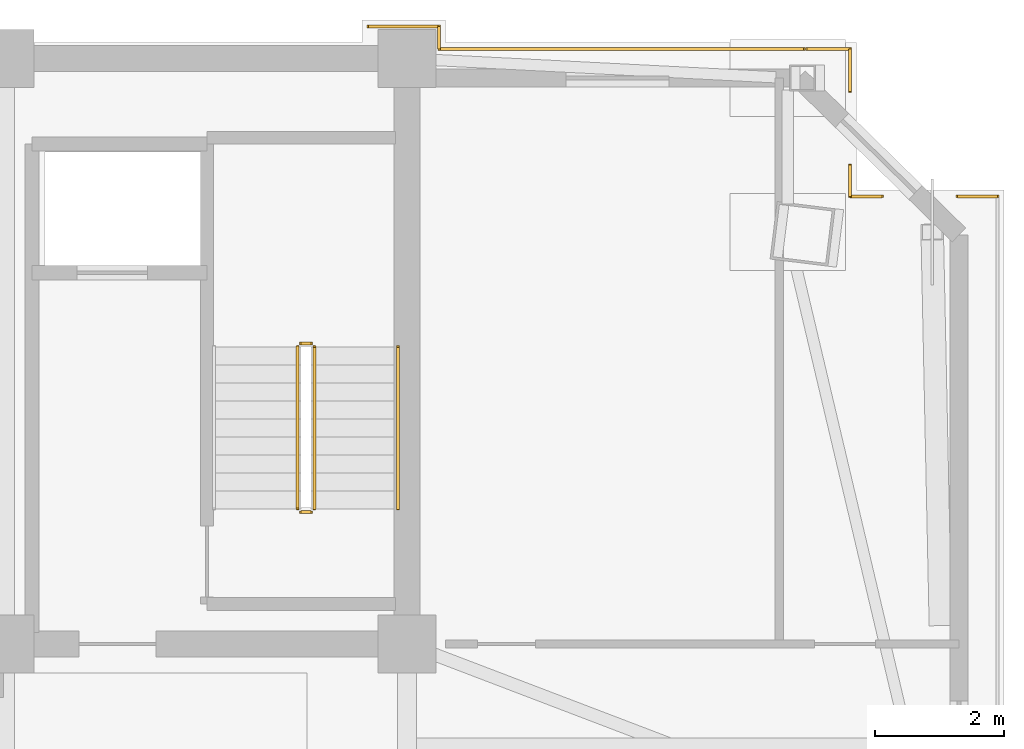
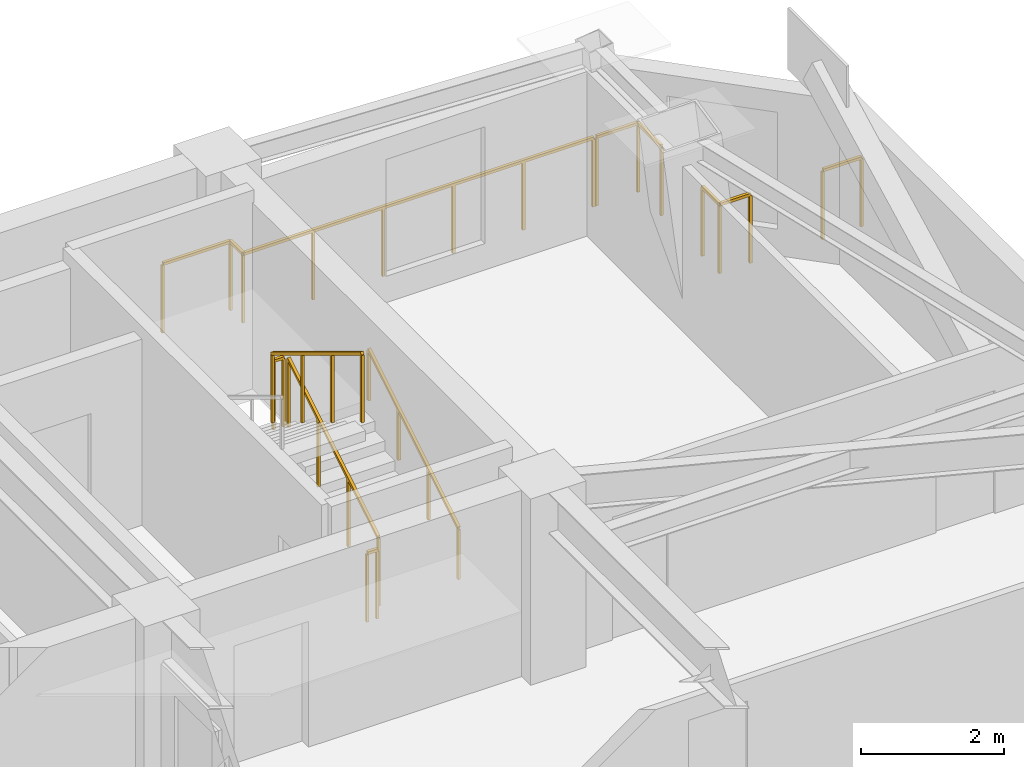
# One storey, part 13 of 13: 13 railings.
"""IFC4 building model written with IfcOpenShell, lengths in metres."""

import ifcopenshell
import ifcopenshell.guid

model = None  # the IFC model being written
_history = None  # IfcOwnerHistory: only IFC2X3 demands one
_inside = {}  # id of a spatial element -> (the spatial element, [elements in it])
_under = {}  # id of a project, library or spatial element -> (it, [spatial elements below it])
_declared = {}  # id of a project -> (the project, [libraries it declares])
_typed = {}  # id of a type object -> (the type object, [elements of that type])
_made_of = {}  # id of a material, layer set ... -> (it, [elements and type objects made of it])


def new_model(schema):
    """Start an empty IFC model of exactly this schema.

    Asked for "IFC4X3", IfcOpenShell would pick the latest addendum, in which some entities
    have other attributes; the version numbers below select the first issue.
    IFC2X3 requires an IfcOwnerHistory on every rooted entity: one is made here for all.
    """
    global model, _history
    if schema == "IFC4X3":
        model = ifcopenshell.file(schema_version=(4, 3, 0, 0))
    else:
        model = ifcopenshell.file(schema=schema)
    _inside.clear()
    _under.clear()
    _declared.clear()
    _typed.clear()
    _made_of.clear()
    _history = None
    if model.schema == "IFC2X3":
        org = make("IfcOrganization", Name="unknown")
        user = make(
            "IfcPersonAndOrganization",
            ThePerson=make("IfcPerson", FamilyName="unknown"),
            TheOrganization=org,
        )
        app = make(
            "IfcApplication",
            ApplicationDeveloper=org,
            Version="unknown",
            ApplicationFullName="unknown",
            ApplicationIdentifier="unknown",
        )
        _history = make(
            "IfcOwnerHistory",
            OwningUser=user,
            OwningApplication=app,
            ChangeAction="ADDED",
            CreationDate=0,
        )
    return model


def make(cls, **values):
    """One entity of the class cls with the attributes given. An attribute that is None is left unset."""
    return model.create_entity(
        cls, **{name: value for name, value in values.items() if value is not None}
    )


def rooted(cls, **values):
    """An entity with a GlobalId (a new one), such as an element, a storey or a relation."""
    return make(cls, GlobalId=ifcopenshell.guid.new(), OwnerHistory=_history, **values)


def si_unit(unit_type, name, prefix=None):
    """IfcSIUnit, for example si_unit("LENGTHUNIT", "METRE", prefix="MILLI")."""
    return make("IfcSIUnit", UnitType=unit_type, Prefix=prefix, Name=name)


def assignment(units):
    """IfcUnitAssignment: the units of a project."""
    return None if units is None else make("IfcUnitAssignment", Units=units)


def point(xyz):
    """IfcCartesianPoint."""
    return None if xyz is None else make("IfcCartesianPoint", Coordinates=xyz)


def direction(xyz):
    """IfcDirection."""
    return None if xyz is None else make("IfcDirection", DirectionRatios=xyz)


def frame(location, z_axis=None, x_axis=None):
    """IfcAxis2Placement3D, a coordinate frame: its origin and axes. An axis left out is left unset."""
    return make(
        "IfcAxis2Placement3D",
        Location=point(location),
        Axis=direction(z_axis),
        RefDirection=direction(x_axis),
    )


def frame_2d(location, x_axis=None):
    """IfcAxis2Placement2D, a coordinate frame in the plane: its origin and x axis."""
    return make(
        "IfcAxis2Placement2D", Location=point(location), RefDirection=direction(x_axis)
    )


def origin():
    """The frame at (0, 0, 0) with its axes left unset."""
    return frame((0.0, 0.0, 0.0))


def origin_2d():
    """The frame at (0, 0) in the plane with its x axis left unset."""
    return frame_2d((0.0, 0.0))


def place(relative_to, where):
    """IfcLocalPlacement: puts the frame where relative to a parent placement (None: the world)."""
    return make(
        "IfcLocalPlacement", PlacementRelTo=relative_to, RelativePlacement=where
    )


def context(
    kind, dimensions, precision=None, world=None, true_north=None, identifier=None
):
    """IfcGeometricRepresentationContext, for example the 3D "Model" context."""
    return make(
        "IfcGeometricRepresentationContext",
        ContextIdentifier=identifier,
        ContextType=kind,
        CoordinateSpaceDimension=dimensions,
        Precision=precision,
        WorldCoordinateSystem=world,
        TrueNorth=true_north,
    )


def subcontext(parent, identifier, kind, view, scale=None):
    """IfcGeometricRepresentationSubContext, for example "Body" below "Model"."""
    return make(
        "IfcGeometricRepresentationSubContext",
        ContextIdentifier=identifier,
        ContextType=kind,
        ParentContext=parent,
        TargetScale=scale,
        TargetView=view,
    )


def project(units=None, contexts=None):
    """IfcProject with its units and contexts."""
    return rooted(
        "IfcProject",
        Name="project",
        RepresentationContexts=contexts,
        UnitsInContext=assignment(units),
    )


def spatial(cls, under=None, at=None, **own):
    """A site, building, storey or space (cls), placed at a placement, below another one or the project."""
    s = rooted(cls, ObjectPlacement=at, **own)
    if under is not None:
        _under.setdefault(under.id(), (under, []))[1].append(s)
    return s


def profile(cls, at=None, kind="AREA", **sizes):
    """A parametric profile (cls). Its sizes go by their IFC names, for example OverallWidth=200.0."""
    return make(cls, ProfileType=kind, Position=at, **sizes)


def rectangle(**sizes):
    """IfcRectangleProfileDef."""
    return profile("IfcRectangleProfileDef", **sizes)


def extrude(swept, where, along, depth):
    """IfcExtrudedAreaSolid: the profile swept, set in the frame where, extruded along a direction by depth."""
    return make(
        "IfcExtrudedAreaSolid",
        SweptArea=swept,
        Position=where,
        ExtrudedDirection=direction(along),
        Depth=depth,
    )


def shape(context_of_items, identifier, shape_type, items):
    """IfcShapeRepresentation: the items that make up one representation, for example the "Body"."""
    return make(
        "IfcShapeRepresentation",
        ContextOfItems=context_of_items,
        RepresentationIdentifier=identifier,
        RepresentationType=shape_type,
        Items=items,
    )


def material(Name=None, Category=None):
    """IfcMaterial."""
    return make("IfcMaterial", Name=Name, Category=Category)


def made_of(thing, what):
    """Note that an element or type object is made of a material, layer set ...; save() writes the relation."""
    if what is not None:
        _made_of.setdefault(what.id(), (what, []))[1].append(thing)
    return thing


def type_object(cls, material=None, **own):
    """A type object (cls), such as IfcWallType, which elements share."""
    return made_of(rooted(cls, **own), material)


def element(
    cls,
    number,
    at=None,
    inside=None,
    cuts=None,
    type_object=None,
    material=None,
    context=None,
    identifier="Body",
    shape_type=None,
    held_by="IfcProductDefinitionShape",
    body=None,
    shapes=None,
    **own,
):
    """One element of the class cls, such as IfcWall. Its Tag is "e" and its number.

    at: its placement. inside: the storey or other place that contains it. cuts: it is an
    opening in that element (IfcRelVoidsElement). A single representation is given by context,
    identifier, shape_type and body (its items); several are given by shapes. held_by: the class
    of the entity that holds the representations. save() writes the other relations.
    """
    e = rooted(cls, Tag="e%d" % number, ObjectPlacement=at, **own)
    if body is not None:
        shapes = [shape(context, identifier, shape_type, body)]
    if shapes is not None:
        e.Representation = make(held_by, Representations=shapes)
    if inside is not None:
        _inside.setdefault(inside.id(), (inside, []))[1].append(e)
    if cuts is not None:
        rooted(
            "IfcRelVoidsElement", RelatingBuildingElement=cuts, RelatedOpeningElement=e
        )
    if type_object is not None:
        _typed.setdefault(type_object.id(), (type_object, []))[1].append(e)
    return made_of(e, material)


def aggregate(whole, parts):
    """IfcRelAggregates: a whole, such as a stair, and the parts it consists of."""
    return rooted("IfcRelAggregates", RelatingObject=whole, RelatedObjects=parts)


def save(model, path):
    """Write the relations noted so far, then the file.

    IfcRelAggregates (storeys below a building ...), IfcRelContainedInSpatialStructure (elements
    in a storey), IfcRelDefinesByType, IfcRelAssociatesMaterial and IfcRelDeclares: one each for
    every whole, place, type object, material and project.
    """
    for whole, parts in _under.values():
        aggregate(whole, parts)
    for where, things in _inside.values():
        rooted(
            "IfcRelContainedInSpatialStructure",
            RelatedElements=things,
            RelatingStructure=where,
        )
    for kind, things in _typed.values():
        rooted("IfcRelDefinesByType", RelatedObjects=things, RelatingType=kind)
    for what, things in _made_of.values():
        rooted("IfcRelAssociatesMaterial", RelatedObjects=things, RelatingMaterial=what)
    for by, libraries in _declared.values():
        rooted("IfcRelDeclares", RelatingContext=by, RelatedDefinitions=libraries)
    model.write(path)


model = new_model("IFC4")

# Units and contexts
model_context = context("Model", 3, precision=1e-05, world=origin(), true_north=direction((0.0, 1.0)))
body_context = subcontext(model_context, "Body", "Model", "MODEL_VIEW")
ifc_project = project(units=[si_unit("LENGTHUNIT", "METRE"), si_unit("AREAUNIT", "SQUARE_METRE"), si_unit("VOLUMEUNIT", "CUBIC_METRE"), si_unit("PLANEANGLEUNIT", "RADIAN"), si_unit("MASSUNIT", "GRAM", prefix="KILO")], contexts=[model_context])

# Site, building, storey
site_placement = place(None, origin())
site = spatial("IfcSite", under=ifc_project, at=site_placement, CompositionType="ELEMENT")
building_placement = place(site_placement, origin())
building = spatial("IfcBuilding", under=site, at=building_placement, Name="Giltprow Tower", CompositionType="ELEMENT")
storey_placement = place(building_placement, frame((0.0, 0.0, 332.300048828125)))
storey = spatial("IfcBuildingStorey", under=building, at=storey_placement, Name="L86", CompositionType="ELEMENT", Elevation=332.300048828125)

# Railings
ifc_material = material(Name="Anodized bronze", Category="metal")
railing_type_1 = type_object("IfcRailingType", Name="RAIL-BALC-GUARD-1200", PredefinedType="BALUSTRADE", material=ifc_material)
railing_1_placement = place(storey_placement, frame((49.949951171875, 47.050048828125, 0.0)))
element("IfcRailing", 1, at=railing_1_placement, inside=storey, type_object=railing_type_1, Name="L86 Corner Apron Edge Balustrade 22", PredefinedType="BALUSTRADE", context=body_context, shape_type="SweptSolid", body=[
    extrude(rectangle(XDim=0.048095703125, YDim=0.048095703125, at=origin_2d()), frame((0.0, 0.0, 1.17578125), z_axis=(1.0, 0.0, 0.0), x_axis=(0.0, 1.0, 0.0)), (0.0, 0.0, 1.0), 1.10009765625),
    extrude(rectangle(XDim=0.0419921875, YDim=0.0419921875, at=origin_2d()), origin(), (0.0, 0.0, 1.0), 1.15185546875),
    extrude(rectangle(XDim=0.0419921875, YDim=0.0419921875, at=origin_2d()), frame((1.10009765625, 0.0, 0.0)), (0.0, 0.0, 1.0), 1.15185546875),
])
railing_2_placement = place(storey_placement, frame((51.050048828125, 47.050048828125, 0.0)))
element("IfcRailing", 2, at=railing_2_placement, inside=storey, type_object=railing_type_1, Name="L86 Corner Apron Edge Balustrade 23", PredefinedType="BALUSTRADE", context=body_context, shape_type="SweptSolid", body=[
    extrude(rectangle(XDim=0.048095703125, YDim=0.048095703125, at=origin_2d()), frame((0.0, 0.0, 1.17578125), z_axis=(0.0, -1.0, 0.0), x_axis=(1.0, 0.0, 0.0)), (0.0, 0.0, 1.0), 0.35009765625),
    extrude(rectangle(XDim=0.0419921875, YDim=0.0419921875, at=origin_2d()), origin(), (0.0, 0.0, 1.0), 1.15185546875),
    extrude(rectangle(XDim=0.0419921875, YDim=0.0419921875, at=origin_2d()), frame((0.0, -0.35009765625, 0.0)), (0.0, 0.0, 1.0), 1.15185546875),
])
railing_3_placement = place(storey_placement, frame((51.050048828125, 46.699951171875, 0.0)))
element("IfcRailing", 3, at=railing_3_placement, inside=storey, type_object=railing_type_1, Name="L86 Corner Apron Edge Balustrade 24", PredefinedType="BALUSTRADE", context=body_context, shape_type="SweptSolid", body=[
    extrude(rectangle(XDim=0.048095703125, YDim=0.048095703125, at=origin_2d()), frame((0.0, 0.0, 1.17578125), z_axis=(1.0, 0.0, 0.0), x_axis=(0.0, 1.0, 0.0)), (0.0, 0.0, 1.0), 5.666015625),
    extrude(rectangle(XDim=0.0419921875, YDim=0.0419921875, at=origin_2d()), origin(), (0.0, 0.0, 1.0), 1.15185546875),
    extrude(rectangle(XDim=0.0419921875, YDim=0.0419921875, at=origin_2d()), frame((1.13330078125, 0.0, 0.0)), (0.0, 0.0, 1.0), 1.15185546875),
    extrude(rectangle(XDim=0.0419921875, YDim=0.0419921875, at=origin_2d()), frame((2.266357421875, 0.0, 0.0)), (0.0, 0.0, 1.0), 1.15185546875),
    extrude(rectangle(XDim=0.0419921875, YDim=0.0419921875, at=origin_2d()), frame((3.399658203125, 0.0, 0.0)), (0.0, 0.0, 1.0), 1.15185546875),
    extrude(rectangle(XDim=0.0419921875, YDim=0.0419921875, at=origin_2d()), frame((4.53271484375, 0.0, 0.0)), (0.0, 0.0, 1.0), 1.15185546875),
    extrude(rectangle(XDim=0.0419921875, YDim=0.0419921875, at=origin_2d()), frame((5.666015625, 0.0, 0.0)), (0.0, 0.0, 1.0), 1.15185546875),
])
railing_4_placement = place(storey_placement, frame((56.76611328125, 46.699951171875, 0.0)))
element("IfcRailing", 4, at=railing_4_placement, inside=storey, type_object=railing_type_1, Name="L86 Corner Apron Edge Balustrade 25", PredefinedType="BALUSTRADE", context=body_context, shape_type="SweptSolid", body=[
    extrude(rectangle(XDim=0.048095703125, YDim=0.048095703125, at=origin_2d()), frame((0.0, 0.0, 1.17578125), z_axis=(1.0, 0.0, 0.0), x_axis=(0.0, 1.0, 0.0)), (0.0, 0.0, 1.0), 0.671875),
    extrude(rectangle(XDim=0.0419921875, YDim=0.0419921875, at=origin_2d()), origin(), (0.0, 0.0, 1.0), 1.15185546875),
    extrude(rectangle(XDim=0.0419921875, YDim=0.0419921875, at=origin_2d()), frame((0.671875, 0.0, 0.0)), (0.0, 0.0, 1.0), 1.15185546875),
])
railing_5_placement = place(storey_placement, frame((57.43798828125, 46.699951171875, 0.0)))
element("IfcRailing", 5, at=railing_5_placement, inside=storey, type_object=railing_type_1, Name="L86 Corner Apron Edge Balustrade 26", PredefinedType="BALUSTRADE", context=body_context, shape_type="SweptSolid", body=[
    extrude(rectangle(XDim=0.048095703125, YDim=0.048095703125, at=origin_2d()), frame((0.0, 0.0, 1.17578125), z_axis=(0.0, -1.0, 0.0), x_axis=(1.0, 0.0, 0.0)), (0.0, 0.0, 1.0), 0.658935546875),
    extrude(rectangle(XDim=0.0419921875, YDim=0.0419921875, at=origin_2d()), origin(), (0.0, 0.0, 1.0), 1.15185546875),
    extrude(rectangle(XDim=0.0419921875, YDim=0.0419921875, at=origin_2d()), frame((0.0, -0.658935546875, 0.0)), (0.0, 0.0, 1.0), 1.15185546875),
])
railing_6_placement = place(storey_placement, frame((57.43798828125, 44.89306640625, 0.0)))
element("IfcRailing", 6, at=railing_6_placement, inside=storey, type_object=railing_type_1, Name="L86 Corner Apron Edge Balustrade 27", PredefinedType="BALUSTRADE", context=body_context, shape_type="SweptSolid", body=[
    extrude(rectangle(XDim=0.048095703125, YDim=0.048095703125, at=origin_2d()), frame((0.0, 0.0, 1.17578125), z_axis=(0.0, -1.0, 0.0), x_axis=(1.0, 0.0, 0.0)), (0.0, 0.0, 1.0), 0.485107421875),
    extrude(rectangle(XDim=0.0419921875, YDim=0.0419921875, at=origin_2d()), origin(), (0.0, 0.0, 1.0), 1.15185546875),
    extrude(rectangle(XDim=0.0419921875, YDim=0.0419921875, at=origin_2d()), frame((0.0, -0.485107421875, 0.0)), (0.0, 0.0, 1.0), 1.15185546875),
])
railing_7_placement = place(storey_placement, frame((57.43798828125, 44.407958984375, 0.0)))
element("IfcRailing", 7, at=railing_7_placement, inside=storey, type_object=railing_type_1, Name="L86 Corner Apron Edge Balustrade 28", PredefinedType="BALUSTRADE", context=body_context, shape_type="SweptSolid", body=[
    extrude(rectangle(XDim=0.048095703125, YDim=0.048095703125, at=origin_2d()), frame((0.0, 0.0, 1.17578125), z_axis=(1.0, 0.0, 0.0), x_axis=(0.0, 1.0, 0.0)), (0.0, 0.0, 1.0), 0.4951171875),
    extrude(rectangle(XDim=0.0419921875, YDim=0.0419921875, at=origin_2d()), origin(), (0.0, 0.0, 1.0), 1.15185546875),
    extrude(rectangle(XDim=0.0419921875, YDim=0.0419921875, at=origin_2d()), frame((0.4951171875, 0.0, 0.0)), (0.0, 0.0, 1.0), 1.15185546875),
])
railing_8_placement = place(storey_placement, frame((59.10498046875, 44.407958984375, 0.0)))
element("IfcRailing", 8, at=railing_8_placement, inside=storey, type_object=railing_type_1, Name="L86 Corner Apron Edge Balustrade 29", PredefinedType="BALUSTRADE", context=body_context, shape_type="SweptSolid", body=[
    extrude(rectangle(XDim=0.048095703125, YDim=0.048095703125, at=origin_2d()), frame((0.0, 0.0, 1.17578125), z_axis=(1.0, 0.0, 0.0), x_axis=(0.0, 1.0, 0.0)), (0.0, 0.0, 1.0), 0.6259765625),
    extrude(rectangle(XDim=0.0419921875, YDim=0.0419921875, at=origin_2d()), origin(), (0.0, 0.0, 1.0), 1.15185546875),
    extrude(rectangle(XDim=0.0419921875, YDim=0.0419921875, at=origin_2d()), frame((0.6259765625, 0.0, 0.0)), (0.0, 0.0, 1.0), 1.15185546875),
])
railing_type_2 = type_object("IfcRailingType", Name="RAIL-STAIR-GUARD-1200", PredefinedType="GUARDRAIL", material=ifc_material)
railing_9_placement = place(storey_placement, frame((49.110107421875, 39.550048828125, 0.169921875)))
element("IfcRailing", 9, at=railing_9_placement, inside=storey, type_object=railing_type_2, Name="L86 ST-3 stair guard 1", PredefinedType="GUARDRAIL", context=body_context, shape_type="SweptSolid", body=[
    extrude(rectangle(XDim=0.048095703125, YDim=0.048095703125, at=origin_2d()), frame((0.0, 0.0, 1.17578125), z_axis=(0.0, 0.85478489116, 0.518982456201), x_axis=(-1.0, 0.0, 0.0)), (0.0, 0.0, 1.0), 2.9482421875),
    extrude(rectangle(XDim=0.0419921875, YDim=0.0419921875, at=origin_2d()), origin(), (0.0, 0.0, 1.0), 1.15185546875),
    extrude(rectangle(XDim=0.0419921875, YDim=0.0419921875, at=origin_2d()), frame((0.0, 0.840087890625, 0.510009765625)), (0.0, 0.0, 1.0), 1.15185546875),
    extrude(rectangle(XDim=0.0419921875, YDim=0.0419921875, at=origin_2d()), frame((0.0, 1.679931640625, 1.02001953125)), (0.0, 0.0, 1.0), 1.15185546875),
    extrude(rectangle(XDim=0.0419921875, YDim=0.0419921875, at=origin_2d()), frame((0.0, 2.52001953125, 1.530029296875)), (0.0, 0.0, 1.0), 1.15185546875),
])
railing_10_placement = place(storey_placement, frame((49.06005859375, 42.1201171875, 1.699951171875)))
element("IfcRailing", 10, at=railing_10_placement, inside=storey, type_object=railing_type_2, Name="L86 ST-3 stair guard 2", PredefinedType="GUARDRAIL", context=body_context, shape_type="SweptSolid", body=[
    extrude(rectangle(XDim=0.048095703125, YDim=0.048095703125, at=origin_2d()), frame((0.0, 0.0, 1.17578125), z_axis=(-1.0, 0.0, 0.0), x_axis=(0.0, -1.0, 0.0)), (0.0, 0.0, 1.0), 0.16015625),
    extrude(rectangle(XDim=0.0419921875, YDim=0.0419921875, at=origin_2d()), origin(), (0.0, 0.0, 1.0), 1.15185546875),
    extrude(rectangle(XDim=0.0419921875, YDim=0.0419921875, at=origin_2d()), frame((-0.16015625, 0.0, 0.0)), (0.0, 0.0, 1.0), 1.15185546875),
])
railing_11_placement = place(storey_placement, frame((48.85009765625, 42.070068359375, 1.869873046875)))
element("IfcRailing", 11, at=railing_11_placement, inside=storey, type_object=railing_type_2, Name="L86 ST-3 stair guard 3", PredefinedType="GUARDRAIL", context=body_context, shape_type="SweptSolid", body=[
    extrude(rectangle(XDim=0.048095703125, YDim=0.048095703125, at=origin_2d()), frame((0.0, 0.0, 1.17578125), z_axis=(0.0, -0.85478489116, 0.518982456201), x_axis=(1.0, 0.0, 0.0)), (0.0, 0.0, 1.0), 2.9482421875),
    extrude(rectangle(XDim=0.0419921875, YDim=0.0419921875, at=origin_2d()), origin(), (0.0, 0.0, 1.0), 1.15185546875),
    extrude(rectangle(XDim=0.0419921875, YDim=0.0419921875, at=origin_2d()), frame((0.0, -0.840087890625, 0.510009765625)), (0.0, 0.0, 1.0), 1.15185546875),
    extrude(rectangle(XDim=0.0419921875, YDim=0.0419921875, at=origin_2d()), frame((0.0, -1.679931640625, 1.02001953125)), (0.0, 0.0, 1.0), 1.15185546875),
    extrude(rectangle(XDim=0.0419921875, YDim=0.0419921875, at=origin_2d()), frame((0.0, -2.52001953125, 1.530029296875)), (0.0, 0.0, 1.0), 1.15185546875),
])
railing_12_placement = place(storey_placement, frame((49.06005859375, 39.5, 0.0)))
element("IfcRailing", 12, at=railing_12_placement, inside=storey, type_object=railing_type_2, Name="L86 ST-3 stair guard 4", PredefinedType="GUARDRAIL", context=body_context, shape_type="SweptSolid", body=[
    extrude(rectangle(XDim=0.048095703125, YDim=0.048095703125, at=origin_2d()), frame((0.0, 0.0, 1.17578125), z_axis=(-1.0, 0.0, 0.0), x_axis=(0.0, -1.0, 0.0)), (0.0, 0.0, 1.0), 0.16015625),
    extrude(rectangle(XDim=0.0419921875, YDim=0.0419921875, at=origin_2d()), origin(), (0.0, 0.0, 1.0), 1.15185546875),
    extrude(rectangle(XDim=0.0419921875, YDim=0.0419921875, at=origin_2d()), frame((-0.16015625, 0.0, 0.0)), (0.0, 0.0, 1.0), 1.15185546875),
])
railing_type_3 = type_object("IfcRailingType", Name="RAIL-STAIR-HAND-900", PredefinedType="HANDRAIL", material=ifc_material)
railing_13_placement = place(storey_placement, frame((50.409912109375, 39.550048828125, 0.169921875)))
element("IfcRailing", 13, at=railing_13_placement, inside=storey, type_object=railing_type_3, Name="L86 ST-3 stair handrail 1", PredefinedType="HANDRAIL", context=body_context, shape_type="SweptSolid", body=[
    extrude(rectangle(XDim=0.048095703125, YDim=0.048095703125, at=origin_2d()), frame((0.0, 0.0, 0.8759765625), z_axis=(0.0, 0.85478489116, 0.518982456201), x_axis=(-1.0, 0.0, 0.0)), (0.0, 0.0, 1.0), 2.9482421875),
    extrude(rectangle(XDim=0.0419921875, YDim=0.0419921875, at=origin_2d()), origin(), (0.0, 0.0, 1.0), 0.851806640625),
    extrude(rectangle(XDim=0.0419921875, YDim=0.0419921875, at=origin_2d()), frame((0.0, 0.840087890625, 0.510009765625)), (0.0, 0.0, 1.0), 0.851806640625),
    extrude(rectangle(XDim=0.0419921875, YDim=0.0419921875, at=origin_2d()), frame((0.0, 1.679931640625, 1.02001953125)), (0.0, 0.0, 1.0), 0.851806640625),
    extrude(rectangle(XDim=0.0419921875, YDim=0.0419921875, at=origin_2d()), frame((0.0, 2.52001953125, 1.530029296875)), (0.0, 0.0, 1.0), 0.851806640625),
])

save(model, "model.ifc")
